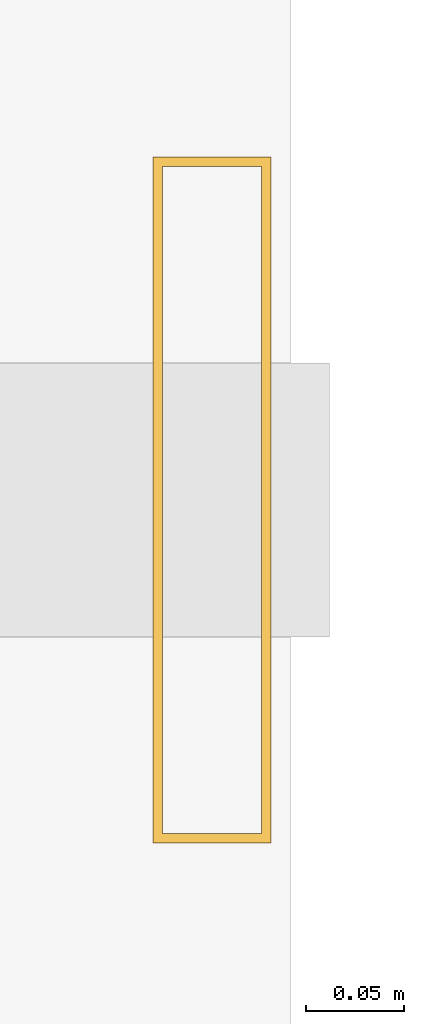
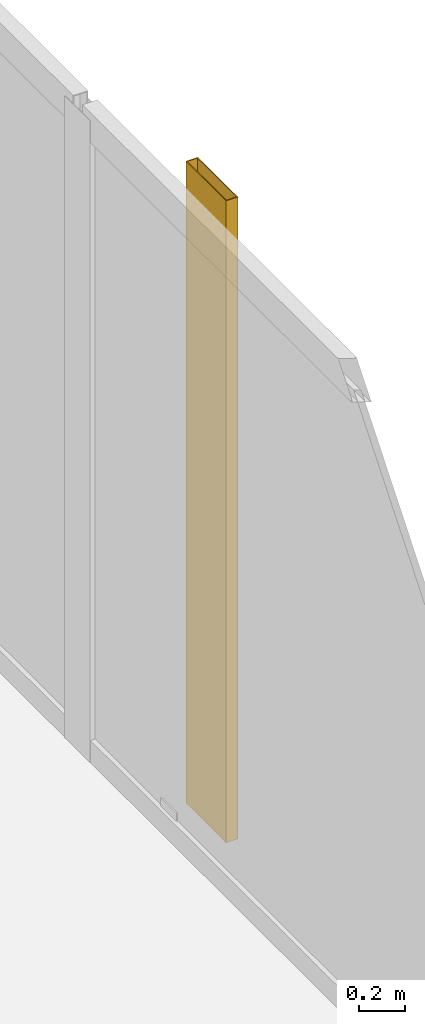
# One storey, part 28 of 28: 1 shading device.
"""IFC4 building model written with IfcOpenShell, lengths in metres."""

import ifcopenshell
import ifcopenshell.guid

model = None  # the IFC model being written
_history = None  # IfcOwnerHistory: only IFC2X3 demands one
_inside = {}  # id of a spatial element -> (the spatial element, [elements in it])
_under = {}  # id of a project, library or spatial element -> (it, [spatial elements below it])
_declared = {}  # id of a project -> (the project, [libraries it declares])
_typed = {}  # id of a type object -> (the type object, [elements of that type])
_made_of = {}  # id of a material, layer set ... -> (it, [elements and type objects made of it])


def new_model(schema):
    """Start an empty IFC model of exactly this schema.

    Asked for "IFC4X3", IfcOpenShell would pick the latest addendum, in which some entities
    have other attributes; the version numbers below select the first issue.
    IFC2X3 requires an IfcOwnerHistory on every rooted entity: one is made here for all.
    """
    global model, _history
    if schema == "IFC4X3":
        model = ifcopenshell.file(schema_version=(4, 3, 0, 0))
    else:
        model = ifcopenshell.file(schema=schema)
    _inside.clear()
    _under.clear()
    _declared.clear()
    _typed.clear()
    _made_of.clear()
    _history = None
    if model.schema == "IFC2X3":
        org = make("IfcOrganization", Name="unknown")
        user = make(
            "IfcPersonAndOrganization",
            ThePerson=make("IfcPerson", FamilyName="unknown"),
            TheOrganization=org,
        )
        app = make(
            "IfcApplication",
            ApplicationDeveloper=org,
            Version="unknown",
            ApplicationFullName="unknown",
            ApplicationIdentifier="unknown",
        )
        _history = make(
            "IfcOwnerHistory",
            OwningUser=user,
            OwningApplication=app,
            ChangeAction="ADDED",
            CreationDate=0,
        )
    return model


def make(cls, **values):
    """One entity of the class cls with the attributes given. An attribute that is None is left unset."""
    return model.create_entity(
        cls, **{name: value for name, value in values.items() if value is not None}
    )


def rooted(cls, **values):
    """An entity with a GlobalId (a new one), such as an element, a storey or a relation."""
    return make(cls, GlobalId=ifcopenshell.guid.new(), OwnerHistory=_history, **values)


def si_unit(unit_type, name, prefix=None):
    """IfcSIUnit, for example si_unit("LENGTHUNIT", "METRE", prefix="MILLI")."""
    return make("IfcSIUnit", UnitType=unit_type, Prefix=prefix, Name=name)


def assignment(units):
    """IfcUnitAssignment: the units of a project."""
    return None if units is None else make("IfcUnitAssignment", Units=units)


def point(xyz):
    """IfcCartesianPoint."""
    return None if xyz is None else make("IfcCartesianPoint", Coordinates=xyz)


def direction(xyz):
    """IfcDirection."""
    return None if xyz is None else make("IfcDirection", DirectionRatios=xyz)


def frame(location, z_axis=None, x_axis=None):
    """IfcAxis2Placement3D, a coordinate frame: its origin and axes. An axis left out is left unset."""
    return make(
        "IfcAxis2Placement3D",
        Location=point(location),
        Axis=direction(z_axis),
        RefDirection=direction(x_axis),
    )


def frame_2d(location, x_axis=None):
    """IfcAxis2Placement2D, a coordinate frame in the plane: its origin and x axis."""
    return make(
        "IfcAxis2Placement2D", Location=point(location), RefDirection=direction(x_axis)
    )


def origin():
    """The frame at (0, 0, 0) with its axes left unset."""
    return frame((0.0, 0.0, 0.0))


def origin_2d():
    """The frame at (0, 0) in the plane with its x axis left unset."""
    return frame_2d((0.0, 0.0))


def place(relative_to, where):
    """IfcLocalPlacement: puts the frame where relative to a parent placement (None: the world)."""
    return make(
        "IfcLocalPlacement", PlacementRelTo=relative_to, RelativePlacement=where
    )


def context(
    kind, dimensions, precision=None, world=None, true_north=None, identifier=None
):
    """IfcGeometricRepresentationContext, for example the 3D "Model" context."""
    return make(
        "IfcGeometricRepresentationContext",
        ContextIdentifier=identifier,
        ContextType=kind,
        CoordinateSpaceDimension=dimensions,
        Precision=precision,
        WorldCoordinateSystem=world,
        TrueNorth=true_north,
    )


def subcontext(parent, identifier, kind, view, scale=None):
    """IfcGeometricRepresentationSubContext, for example "Body" below "Model"."""
    return make(
        "IfcGeometricRepresentationSubContext",
        ContextIdentifier=identifier,
        ContextType=kind,
        ParentContext=parent,
        TargetScale=scale,
        TargetView=view,
    )


def project(units=None, contexts=None):
    """IfcProject with its units and contexts."""
    return rooted(
        "IfcProject",
        Name="project",
        RepresentationContexts=contexts,
        UnitsInContext=assignment(units),
    )


def spatial(cls, under=None, at=None, **own):
    """A site, building, storey or space (cls), placed at a placement, below another one or the project."""
    s = rooted(cls, ObjectPlacement=at, **own)
    if under is not None:
        _under.setdefault(under.id(), (under, []))[1].append(s)
    return s


def profile(cls, at=None, kind="AREA", **sizes):
    """A parametric profile (cls). Its sizes go by their IFC names, for example OverallWidth=200.0."""
    return make(cls, ProfileType=kind, Position=at, **sizes)


def hollow_rectangle(**sizes):
    """IfcRectangleHollowProfileDef."""
    return profile("IfcRectangleHollowProfileDef", **sizes)


def extrude(swept, where, along, depth):
    """IfcExtrudedAreaSolid: the profile swept, set in the frame where, extruded along a direction by depth."""
    return make(
        "IfcExtrudedAreaSolid",
        SweptArea=swept,
        Position=where,
        ExtrudedDirection=direction(along),
        Depth=depth,
    )


def shape(context_of_items, identifier, shape_type, items):
    """IfcShapeRepresentation: the items that make up one representation, for example the "Body"."""
    return make(
        "IfcShapeRepresentation",
        ContextOfItems=context_of_items,
        RepresentationIdentifier=identifier,
        RepresentationType=shape_type,
        Items=items,
    )


def material(Name=None, Category=None):
    """IfcMaterial."""
    return make("IfcMaterial", Name=Name, Category=Category)


def material_profile(
    of_material, cross_section, Name=None, Category=None, Priority=None
):
    """IfcMaterialProfile: a cross section and its material."""
    return make(
        "IfcMaterialProfile",
        Name=Name,
        Material=of_material,
        Profile=cross_section,
        Priority=Priority,
        Category=Category,
    )


def profile_set(profiles, Name=None, composite=None):
    """IfcMaterialProfileSet."""
    return make(
        "IfcMaterialProfileSet",
        Name=Name,
        MaterialProfiles=profiles,
        CompositeProfile=composite,
    )


def made_of(thing, what):
    """Note that an element or type object is made of a material, layer set ...; save() writes the relation."""
    if what is not None:
        _made_of.setdefault(what.id(), (what, []))[1].append(thing)
    return thing


def type_object(cls, material=None, **own):
    """A type object (cls), such as IfcWallType, which elements share."""
    return made_of(rooted(cls, **own), material)


def element(
    cls,
    number,
    at=None,
    inside=None,
    cuts=None,
    type_object=None,
    material=None,
    context=None,
    identifier="Body",
    shape_type=None,
    held_by="IfcProductDefinitionShape",
    body=None,
    shapes=None,
    **own,
):
    """One element of the class cls, such as IfcWall. Its Tag is "e" and its number.

    at: its placement. inside: the storey or other place that contains it. cuts: it is an
    opening in that element (IfcRelVoidsElement). A single representation is given by context,
    identifier, shape_type and body (its items); several are given by shapes. held_by: the class
    of the entity that holds the representations. save() writes the other relations.
    """
    e = rooted(cls, Tag="e%d" % number, ObjectPlacement=at, **own)
    if body is not None:
        shapes = [shape(context, identifier, shape_type, body)]
    if shapes is not None:
        e.Representation = make(held_by, Representations=shapes)
    if inside is not None:
        _inside.setdefault(inside.id(), (inside, []))[1].append(e)
    if cuts is not None:
        rooted(
            "IfcRelVoidsElement", RelatingBuildingElement=cuts, RelatedOpeningElement=e
        )
    if type_object is not None:
        _typed.setdefault(type_object.id(), (type_object, []))[1].append(e)
    return made_of(e, material)


def aggregate(whole, parts):
    """IfcRelAggregates: a whole, such as a stair, and the parts it consists of."""
    return rooted("IfcRelAggregates", RelatingObject=whole, RelatedObjects=parts)


def save(model, path):
    """Write the relations noted so far, then the file.

    IfcRelAggregates (storeys below a building ...), IfcRelContainedInSpatialStructure (elements
    in a storey), IfcRelDefinesByType, IfcRelAssociatesMaterial and IfcRelDeclares: one each for
    every whole, place, type object, material and project.
    """
    for whole, parts in _under.values():
        aggregate(whole, parts)
    for where, things in _inside.values():
        rooted(
            "IfcRelContainedInSpatialStructure",
            RelatedElements=things,
            RelatingStructure=where,
        )
    for kind, things in _typed.values():
        rooted("IfcRelDefinesByType", RelatedObjects=things, RelatingType=kind)
    for what, things in _made_of.values():
        rooted("IfcRelAssociatesMaterial", RelatedObjects=things, RelatingMaterial=what)
    for by, libraries in _declared.values():
        rooted("IfcRelDeclares", RelatingContext=by, RelatedDefinitions=libraries)
    model.write(path)


model = new_model("IFC4")

# Units and contexts
model_context = context("Model", 3, precision=1e-05, world=origin(), true_north=direction((0.0, 1.0)))
body_context = subcontext(model_context, "Body", "Model", "MODEL_VIEW")
ifc_project = project(units=[si_unit("LENGTHUNIT", "METRE"), si_unit("AREAUNIT", "SQUARE_METRE"), si_unit("VOLUMEUNIT", "CUBIC_METRE"), si_unit("PLANEANGLEUNIT", "RADIAN"), si_unit("MASSUNIT", "GRAM", prefix="KILO")], contexts=[model_context])

# Site, building, storey
site_placement = place(None, origin())
site = spatial("IfcSite", under=ifc_project, at=site_placement, CompositionType="ELEMENT")
building_placement = place(site_placement, origin())
building = spatial("IfcBuilding", under=site, at=building_placement, Name="Kolvaren Waterfront Exchange", CompositionType="ELEMENT")
storey_placement = place(building_placement, frame((0.0, 0.0, 79.0)))
storey = spatial("IfcBuildingStorey", under=building, at=storey_placement, Name="L20", CompositionType="ELEMENT", Elevation=79.0)

# Shading device
ifc_material = material(Name="Anodised bronze aluminium 6063-T6", Category="aluminium")
ifc_material_profile = material_profile(ifc_material, hollow_rectangle(XDim=0.06005859375, YDim=0.35009765625, WallThickness=0.0048828125, at=origin_2d()), Name="BRZ-FIN-350x60x5")
ifc_profile_set = profile_set([ifc_material_profile], Name="Anodised bronze aluminium 6063-T6")
shading_device_type = type_object("IfcShadingDeviceType", Name="ARC-FIN-350", PredefinedType="USERDEFINED", material=ifc_profile_set)
shading_device_placement = place(storey_placement, frame((25.56005859375, 35.199951171875, 0.0), z_axis=(0.0, 0.0, 1.0), x_axis=(1.0, 0.0, 0.0)))
element("IfcShadingDevice", 1, at=shading_device_placement, inside=storey, type_object=shading_device_type, Name="L20 anodised bronze solar shading fin FIN-L20-E3", ObjectType="SOLAR FIN", PredefinedType="USERDEFINED", context=body_context, shape_type="SweptSolid", body=[
    extrude(hollow_rectangle(XDim=0.06005859375, YDim=0.35009765625, WallThickness=0.0048828125, at=origin_2d()), origin(), (0.0, 0.0, 1.0), 3.419921875),
])

save(model, "model.ifc")
